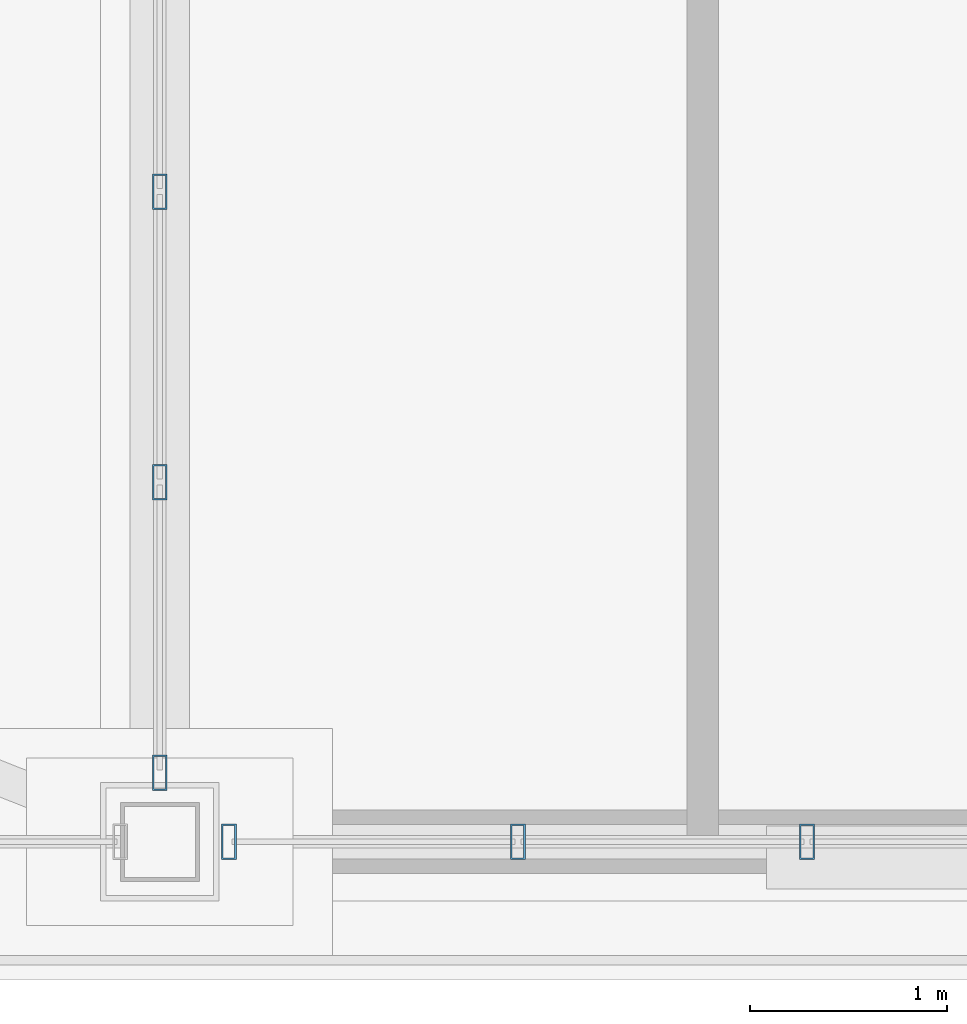
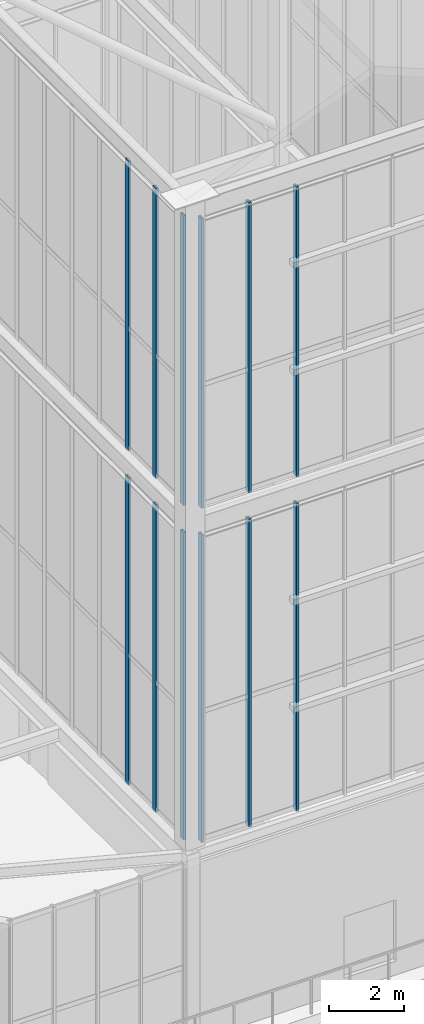
# One storey, part 3 of 135: 12 members, 4 elements without a shape of their own.
"""IFC4 building model written with IfcOpenShell, lengths in metres."""

import ifcopenshell
import ifcopenshell.guid

model = None  # the IFC model being written
_history = None  # IfcOwnerHistory: only IFC2X3 demands one
_inside = {}  # id of a spatial element -> (the spatial element, [elements in it])
_under = {}  # id of a project, library or spatial element -> (it, [spatial elements below it])
_declared = {}  # id of a project -> (the project, [libraries it declares])
_typed = {}  # id of a type object -> (the type object, [elements of that type])
_made_of = {}  # id of a material, layer set ... -> (it, [elements and type objects made of it])


def new_model(schema):
    """Start an empty IFC model of exactly this schema.

    Asked for "IFC4X3", IfcOpenShell would pick the latest addendum, in which some entities
    have other attributes; the version numbers below select the first issue.
    IFC2X3 requires an IfcOwnerHistory on every rooted entity: one is made here for all.
    """
    global model, _history
    if schema == "IFC4X3":
        model = ifcopenshell.file(schema_version=(4, 3, 0, 0))
    else:
        model = ifcopenshell.file(schema=schema)
    _inside.clear()
    _under.clear()
    _declared.clear()
    _typed.clear()
    _made_of.clear()
    _history = None
    if model.schema == "IFC2X3":
        org = make("IfcOrganization", Name="unknown")
        user = make(
            "IfcPersonAndOrganization",
            ThePerson=make("IfcPerson", FamilyName="unknown"),
            TheOrganization=org,
        )
        app = make(
            "IfcApplication",
            ApplicationDeveloper=org,
            Version="unknown",
            ApplicationFullName="unknown",
            ApplicationIdentifier="unknown",
        )
        _history = make(
            "IfcOwnerHistory",
            OwningUser=user,
            OwningApplication=app,
            ChangeAction="ADDED",
            CreationDate=0,
        )
    return model


def make(cls, **values):
    """One entity of the class cls with the attributes given. An attribute that is None is left unset."""
    return model.create_entity(
        cls, **{name: value for name, value in values.items() if value is not None}
    )


def rooted(cls, **values):
    """An entity with a GlobalId (a new one), such as an element, a storey or a relation."""
    return make(cls, GlobalId=ifcopenshell.guid.new(), OwnerHistory=_history, **values)


def si_unit(unit_type, name, prefix=None):
    """IfcSIUnit, for example si_unit("LENGTHUNIT", "METRE", prefix="MILLI")."""
    return make("IfcSIUnit", UnitType=unit_type, Prefix=prefix, Name=name)


def assignment(units):
    """IfcUnitAssignment: the units of a project."""
    return None if units is None else make("IfcUnitAssignment", Units=units)


def point(xyz):
    """IfcCartesianPoint."""
    return None if xyz is None else make("IfcCartesianPoint", Coordinates=xyz)


def direction(xyz):
    """IfcDirection."""
    return None if xyz is None else make("IfcDirection", DirectionRatios=xyz)


def frame(location, z_axis=None, x_axis=None):
    """IfcAxis2Placement3D, a coordinate frame: its origin and axes. An axis left out is left unset."""
    return make(
        "IfcAxis2Placement3D",
        Location=point(location),
        Axis=direction(z_axis),
        RefDirection=direction(x_axis),
    )


def frame_2d(location, x_axis=None):
    """IfcAxis2Placement2D, a coordinate frame in the plane: its origin and x axis."""
    return make(
        "IfcAxis2Placement2D", Location=point(location), RefDirection=direction(x_axis)
    )


def origin():
    """The frame at (0, 0, 0) with its axes left unset."""
    return frame((0.0, 0.0, 0.0))


def origin_2d():
    """The frame at (0, 0) in the plane with its x axis left unset."""
    return frame_2d((0.0, 0.0))


def place(relative_to, where):
    """IfcLocalPlacement: puts the frame where relative to a parent placement (None: the world)."""
    return make(
        "IfcLocalPlacement", PlacementRelTo=relative_to, RelativePlacement=where
    )


def context(
    kind, dimensions, precision=None, world=None, true_north=None, identifier=None
):
    """IfcGeometricRepresentationContext, for example the 3D "Model" context."""
    return make(
        "IfcGeometricRepresentationContext",
        ContextIdentifier=identifier,
        ContextType=kind,
        CoordinateSpaceDimension=dimensions,
        Precision=precision,
        WorldCoordinateSystem=world,
        TrueNorth=true_north,
    )


def subcontext(parent, identifier, kind, view, scale=None):
    """IfcGeometricRepresentationSubContext, for example "Body" below "Model"."""
    return make(
        "IfcGeometricRepresentationSubContext",
        ContextIdentifier=identifier,
        ContextType=kind,
        ParentContext=parent,
        TargetScale=scale,
        TargetView=view,
    )


def project(units=None, contexts=None):
    """IfcProject with its units and contexts."""
    return rooted(
        "IfcProject",
        Name="project",
        RepresentationContexts=contexts,
        UnitsInContext=assignment(units),
    )


def spatial(cls, under=None, at=None, **own):
    """A site, building, storey or space (cls), placed at a placement, below another one or the project."""
    s = rooted(cls, ObjectPlacement=at, **own)
    if under is not None:
        _under.setdefault(under.id(), (under, []))[1].append(s)
    return s


def profile(cls, at=None, kind="AREA", **sizes):
    """A parametric profile (cls). Its sizes go by their IFC names, for example OverallWidth=200.0."""
    return make(cls, ProfileType=kind, Position=at, **sizes)


def hollow_rectangle(**sizes):
    """IfcRectangleHollowProfileDef."""
    return profile("IfcRectangleHollowProfileDef", **sizes)


def extrude(swept, where, along, depth):
    """IfcExtrudedAreaSolid: the profile swept, set in the frame where, extruded along a direction by depth."""
    return make(
        "IfcExtrudedAreaSolid",
        SweptArea=swept,
        Position=where,
        ExtrudedDirection=direction(along),
        Depth=depth,
    )


def shape(context_of_items, identifier, shape_type, items):
    """IfcShapeRepresentation: the items that make up one representation, for example the "Body"."""
    return make(
        "IfcShapeRepresentation",
        ContextOfItems=context_of_items,
        RepresentationIdentifier=identifier,
        RepresentationType=shape_type,
        Items=items,
    )


def source(mapping_origin, context_of_items, identifier, shape_type, items):
    """IfcRepresentationMap: a shape defined once, which mapped items show again and again."""
    return make(
        "IfcRepresentationMap",
        MappingOrigin=mapping_origin,
        MappedRepresentation=shape(context_of_items, identifier, shape_type, items),
    )


def transform(
    local_origin,
    x_axis=None,
    y_axis=None,
    z_axis=None,
    scale=None,
    scale2=None,
    scale3=None,
    uniform=True,
):
    """IfcCartesianTransformationOperator3D, or its non-uniform kind. x_axis, y_axis, z_axis: its Axis1, 2, 3."""
    if uniform:
        return make(
            "IfcCartesianTransformationOperator3D",
            Axis1=direction(x_axis),
            Axis2=direction(y_axis),
            LocalOrigin=point(local_origin),
            Scale=scale,
            Axis3=direction(z_axis),
        )
    return make(
        "IfcCartesianTransformationOperator3DnonUniform",
        Axis1=direction(x_axis),
        Axis2=direction(y_axis),
        LocalOrigin=point(local_origin),
        Scale=scale,
        Axis3=direction(z_axis),
        Scale2=scale2,
        Scale3=scale3,
    )


def mapped(mapping_source, mapping_target):
    """IfcMappedItem: shows the shape of a source again, moved by a transform."""
    return make(
        "IfcMappedItem", MappingSource=mapping_source, MappingTarget=mapping_target
    )


def material(Name=None, Category=None):
    """IfcMaterial."""
    return make("IfcMaterial", Name=Name, Category=Category)


def layer(
    of_material, thickness, ventilated=None, Name=None, Category=None, Priority=None
):
    """IfcMaterialLayer: one layer of a wall or slab, of a material (None: an air gap)."""
    return make(
        "IfcMaterialLayer",
        Material=of_material,
        LayerThickness=thickness,
        IsVentilated=ventilated,
        Name=Name,
        Category=Category,
        Priority=Priority,
    )


def layer_set(layers, Name=None):
    """IfcMaterialLayerSet."""
    return make("IfcMaterialLayerSet", MaterialLayers=layers, LayerSetName=Name)


def material_profile(
    of_material, cross_section, Name=None, Category=None, Priority=None
):
    """IfcMaterialProfile: a cross section and its material."""
    return make(
        "IfcMaterialProfile",
        Name=Name,
        Material=of_material,
        Profile=cross_section,
        Priority=Priority,
        Category=Category,
    )


def profile_set(profiles, Name=None, composite=None):
    """IfcMaterialProfileSet."""
    return make(
        "IfcMaterialProfileSet",
        Name=Name,
        MaterialProfiles=profiles,
        CompositeProfile=composite,
    )


def made_of(thing, what):
    """Note that an element or type object is made of a material, layer set ...; save() writes the relation."""
    if what is not None:
        _made_of.setdefault(what.id(), (what, []))[1].append(thing)
    return thing


def type_object(cls, material=None, **own):
    """A type object (cls), such as IfcWallType, which elements share."""
    return made_of(rooted(cls, **own), material)


def element(
    cls,
    number,
    at=None,
    inside=None,
    cuts=None,
    type_object=None,
    material=None,
    context=None,
    identifier="Body",
    shape_type=None,
    held_by="IfcProductDefinitionShape",
    body=None,
    shapes=None,
    **own,
):
    """One element of the class cls, such as IfcWall. Its Tag is "e" and its number.

    at: its placement. inside: the storey or other place that contains it. cuts: it is an
    opening in that element (IfcRelVoidsElement). A single representation is given by context,
    identifier, shape_type and body (its items); several are given by shapes. held_by: the class
    of the entity that holds the representations. save() writes the other relations.
    """
    e = rooted(cls, Tag="e%d" % number, ObjectPlacement=at, **own)
    if body is not None:
        shapes = [shape(context, identifier, shape_type, body)]
    if shapes is not None:
        e.Representation = make(held_by, Representations=shapes)
    if inside is not None:
        _inside.setdefault(inside.id(), (inside, []))[1].append(e)
    if cuts is not None:
        rooted(
            "IfcRelVoidsElement", RelatingBuildingElement=cuts, RelatedOpeningElement=e
        )
    if type_object is not None:
        _typed.setdefault(type_object.id(), (type_object, []))[1].append(e)
    return made_of(e, material)


def aggregate(whole, parts):
    """IfcRelAggregates: a whole, such as a stair, and the parts it consists of."""
    return rooted("IfcRelAggregates", RelatingObject=whole, RelatedObjects=parts)


def save(model, path):
    """Write the relations noted so far, then the file.

    IfcRelAggregates (storeys below a building ...), IfcRelContainedInSpatialStructure (elements
    in a storey), IfcRelDefinesByType, IfcRelAssociatesMaterial and IfcRelDeclares: one each for
    every whole, place, type object, material and project.
    """
    for whole, parts in _under.values():
        aggregate(whole, parts)
    for where, things in _inside.values():
        rooted(
            "IfcRelContainedInSpatialStructure",
            RelatedElements=things,
            RelatingStructure=where,
        )
    for kind, things in _typed.values():
        rooted("IfcRelDefinesByType", RelatedObjects=things, RelatingType=kind)
    for what, things in _made_of.values():
        rooted("IfcRelAssociatesMaterial", RelatedObjects=things, RelatingMaterial=what)
    for by, libraries in _declared.values():
        rooted("IfcRelDeclares", RelatingContext=by, RelatedDefinitions=libraries)
    model.write(path)


model = new_model("IFC4")

# Units and contexts
model_context = context("Model", 3, precision=1e-05, world=origin(), true_north=direction((0.0, 1.0)))
body_context = subcontext(model_context, "Body", "Model", "MODEL_VIEW")
ifc_project = project(units=[si_unit("LENGTHUNIT", "METRE"), si_unit("AREAUNIT", "SQUARE_METRE"), si_unit("VOLUMEUNIT", "CUBIC_METRE"), si_unit("PLANEANGLEUNIT", "RADIAN"), si_unit("MASSUNIT", "GRAM", prefix="KILO")], contexts=[model_context])

# Site, building, storey
site_placement = place(None, origin())
site = spatial("IfcSite", under=ifc_project, at=site_placement, CompositionType="ELEMENT")
building_placement = place(site_placement, origin())
building = spatial("IfcBuilding", under=site, at=building_placement, Name="Giltprow Tower", CompositionType="ELEMENT")
storey_placement = place(building_placement, frame((0.0, 0.0, 352.699951171875)))
storey = spatial("IfcBuildingStorey", under=building, at=storey_placement, Name="L92", CompositionType="ELEMENT", Elevation=352.699951171875)

# Curtain wall, members
ifc_material = material(Name="Anodized bronze", Category="metal")
ifc_layer = layer(ifc_material, 0.179931640625, Name="Anodized bronze")
ifc_layer_set = layer_set([ifc_layer], Name="Anodized bronze")
curtain_wall_type = type_object("IfcCurtainWallType", Name="CW-CROWN-LANTERN", PredefinedType="NOTDEFINED", material=ifc_layer_set)
curtain_wall_1_placement = place(storey_placement, origin())
curtain_wall_1 = element("IfcCurtainWall", 1, at=curtain_wall_1_placement, inside=storey, type_object=curtain_wall_type, Name="Crown West Lower Lantern Glazing 1", PredefinedType="NOTDEFINED")
ifc_material_profile = material_profile(ifc_material, hollow_rectangle(XDim=0.074951171875, YDim=0.179931640625, WallThickness=0.008056640625, at=origin_2d()), Name="RHS 180x75x8")
ifc_profile_set = profile_set([ifc_material_profile], Name="Anodized bronze")
member_type = type_object("IfcMemberType", Name="CW-MULLION-180x75", PredefinedType="MULLION", material=ifc_profile_set)
shared_shape_1 = source(origin(), body_context, "Body", "SweptSolid", [
    extrude(hollow_rectangle(XDim=0.074951171875, YDim=0.179931640625, WallThickness=0.008056640625, at=origin_2d()), origin(), (0.0, 0.0, 1.0), 10.030029296875),
])
member_1_placement = place(storey_placement, frame((20.199951171875, 23.5, 6.35009765625), z_axis=(0.0, 0.0, 1.0), x_axis=(1.0, 0.0, 0.0)))
member_1 = element("IfcMember", 2, at=member_1_placement, type_object=member_type, Name="Crown West Lower Lantern Glazing 1 Mullion 1", PredefinedType="MULLION", context=body_context, shape_type="MappedRepresentation", body=[
    mapped(shared_shape_1, transform((0.0, 0.0, 0.0), x_axis=(1.0, 0.0, 0.0), y_axis=(0.0, 1.0, 0.0), z_axis=(0.0, 0.0, 1.0), scale=1.0)),
])
member_2_placement = place(storey_placement, frame((21.6640625, 23.5, 6.35009765625), z_axis=(0.0, 0.0, 1.0), x_axis=(1.0, 0.0, 0.0)))
member_2 = element("IfcMember", 3, at=member_2_placement, type_object=member_type, Name="Crown West Lower Lantern Glazing 1 Mullion 2", PredefinedType="MULLION", context=body_context, shape_type="MappedRepresentation", body=[
    mapped(shared_shape_1, transform((0.0, 0.0, 0.0), x_axis=(1.0, 0.0, 0.0), y_axis=(0.0, 1.0, 0.0), z_axis=(0.0, 0.0, 1.0), scale=1.0)),
])
member_3_placement = place(storey_placement, frame((23.12890625, 23.5, 6.35009765625), z_axis=(0.0, 0.0, 1.0), x_axis=(1.0, 0.0, 0.0)))
member_3 = element("IfcMember", 4, at=member_3_placement, type_object=member_type, Name="Crown West Lower Lantern Glazing 1 Mullion 3", PredefinedType="MULLION", context=body_context, shape_type="MappedRepresentation", body=[
    mapped(shared_shape_1, transform((0.0, 0.0, 0.0), x_axis=(1.0, 0.0, 0.0), y_axis=(0.0, 1.0, 0.0), z_axis=(0.0, 0.0, 1.0), scale=1.0)),
])
aggregate(curtain_wall_1, [member_1, member_2, member_3])

curtain_wall_2_placement = place(storey_placement, origin())
curtain_wall_2 = element("IfcCurtainWall", 5, at=curtain_wall_2_placement, inside=storey, type_object=curtain_wall_type, Name="Crown West Lower Lantern Glazing 6", PredefinedType="NOTDEFINED")
member_4_placement = place(storey_placement, frame((19.85009765625, 26.7939453125, 6.35009765625), z_axis=(0.0, 0.0, 1.0), x_axis=(1.0, 0.0, 0.0)))
member_4 = element("IfcMember", 6, at=member_4_placement, type_object=member_type, Name="Crown West Lower Lantern Glazing 6 Mullion 8", PredefinedType="MULLION", context=body_context, shape_type="MappedRepresentation", body=[
    mapped(shared_shape_1, transform((0.0, 0.0, 0.0), x_axis=(1.0, 0.0, 0.0), y_axis=(0.0, 1.0, 0.0), z_axis=(0.0, 0.0, 1.0), scale=1.0)),
])
member_5_placement = place(storey_placement, frame((19.85009765625, 25.322021484375, 6.35009765625), z_axis=(0.0, 0.0, 1.0), x_axis=(1.0, 0.0, 0.0)))
member_5 = element("IfcMember", 7, at=member_5_placement, type_object=member_type, Name="Crown West Lower Lantern Glazing 6 Mullion 9", PredefinedType="MULLION", context=body_context, shape_type="MappedRepresentation", body=[
    mapped(shared_shape_1, transform((0.0, 0.0, 0.0), x_axis=(1.0, 0.0, 0.0), y_axis=(0.0, 1.0, 0.0), z_axis=(0.0, 0.0, 1.0), scale=1.0)),
])
member_6_placement = place(storey_placement, frame((19.85009765625, 23.85009765625, 6.35009765625), z_axis=(0.0, 0.0, 1.0), x_axis=(1.0, 0.0, 0.0)))
member_6 = element("IfcMember", 8, at=member_6_placement, type_object=member_type, Name="Crown West Lower Lantern Glazing 6 Mullion 10", PredefinedType="MULLION", context=body_context, shape_type="MappedRepresentation", body=[
    mapped(shared_shape_1, transform((0.0, 0.0, 0.0), x_axis=(1.0, 0.0, 0.0), y_axis=(0.0, 1.0, 0.0), z_axis=(0.0, 0.0, 1.0), scale=1.0)),
])
aggregate(curtain_wall_2, [member_4, member_5, member_6])

curtain_wall_3_placement = place(storey_placement, origin())
curtain_wall_3 = element("IfcCurtainWall", 9, at=curtain_wall_3_placement, inside=storey, type_object=curtain_wall_type, Name="Crown West Upper Lantern Glazing 1", PredefinedType="NOTDEFINED")
shared_shape_2 = source(origin(), body_context, "Body", "SweptSolid", [
    extrude(hollow_rectangle(XDim=0.074951171875, YDim=0.179931640625, WallThickness=0.008056640625, at=origin_2d()), origin(), (0.0, 0.0, 1.0), 9.45703125),
])
member_7_placement = place(storey_placement, frame((20.199951171875, 23.5, 17.25), z_axis=(0.0, 0.0, 1.0), x_axis=(1.0, 0.0, 0.0)))
member_7 = element("IfcMember", 10, at=member_7_placement, type_object=member_type, Name="Crown West Upper Lantern Glazing 1 Mullion 1", PredefinedType="MULLION", context=body_context, shape_type="MappedRepresentation", body=[
    mapped(shared_shape_2, transform((0.0, 0.0, 0.0), x_axis=(1.0, 0.0, 0.0), y_axis=(0.0, 1.0, 0.0), z_axis=(0.0, 0.0, 1.0), scale=1.0)),
])
member_8_placement = place(storey_placement, frame((21.6640625, 23.5, 17.25), z_axis=(0.0, 0.0, 1.0), x_axis=(1.0, 0.0, 0.0)))
member_8 = element("IfcMember", 11, at=member_8_placement, type_object=member_type, Name="Crown West Upper Lantern Glazing 1 Mullion 2", PredefinedType="MULLION", context=body_context, shape_type="MappedRepresentation", body=[
    mapped(shared_shape_2, transform((0.0, 0.0, 0.0), x_axis=(1.0, 0.0, 0.0), y_axis=(0.0, 1.0, 0.0), z_axis=(0.0, 0.0, 1.0), scale=1.0)),
])
member_9_placement = place(storey_placement, frame((23.12890625, 23.5, 17.25), z_axis=(0.0, 0.0, 1.0), x_axis=(1.0, 0.0, 0.0)))
member_9 = element("IfcMember", 12, at=member_9_placement, type_object=member_type, Name="Crown West Upper Lantern Glazing 1 Mullion 3", PredefinedType="MULLION", context=body_context, shape_type="MappedRepresentation", body=[
    mapped(shared_shape_2, transform((0.0, 0.0, 0.0), x_axis=(1.0, 0.0, 0.0), y_axis=(0.0, 1.0, 0.0), z_axis=(0.0, 0.0, 1.0), scale=1.0)),
])
aggregate(curtain_wall_3, [member_7, member_8, member_9])

curtain_wall_4_placement = place(storey_placement, origin())
curtain_wall_4 = element("IfcCurtainWall", 13, at=curtain_wall_4_placement, inside=storey, type_object=curtain_wall_type, Name="Crown West Upper Lantern Glazing 6", PredefinedType="NOTDEFINED")
member_10_placement = place(storey_placement, frame((19.85009765625, 26.7939453125, 17.25), z_axis=(0.0, 0.0, 1.0), x_axis=(1.0, 0.0, 0.0)))
member_10 = element("IfcMember", 14, at=member_10_placement, type_object=member_type, Name="Crown West Upper Lantern Glazing 6 Mullion 8", PredefinedType="MULLION", context=body_context, shape_type="MappedRepresentation", body=[
    mapped(shared_shape_2, transform((0.0, 0.0, 0.0), x_axis=(1.0, 0.0, 0.0), y_axis=(0.0, 1.0, 0.0), z_axis=(0.0, 0.0, 1.0), scale=1.0)),
])
member_11_placement = place(storey_placement, frame((19.85009765625, 25.322021484375, 17.25), z_axis=(0.0, 0.0, 1.0), x_axis=(1.0, 0.0, 0.0)))
member_11 = element("IfcMember", 15, at=member_11_placement, type_object=member_type, Name="Crown West Upper Lantern Glazing 6 Mullion 9", PredefinedType="MULLION", context=body_context, shape_type="MappedRepresentation", body=[
    mapped(shared_shape_2, transform((0.0, 0.0, 0.0), x_axis=(1.0, 0.0, 0.0), y_axis=(0.0, 1.0, 0.0), z_axis=(0.0, 0.0, 1.0), scale=1.0)),
])
member_12_placement = place(storey_placement, frame((19.85009765625, 23.85009765625, 17.25), z_axis=(0.0, 0.0, 1.0), x_axis=(1.0, 0.0, 0.0)))
member_12 = element("IfcMember", 16, at=member_12_placement, type_object=member_type, Name="Crown West Upper Lantern Glazing 6 Mullion 10", PredefinedType="MULLION", context=body_context, shape_type="MappedRepresentation", body=[
    mapped(shared_shape_2, transform((0.0, 0.0, 0.0), x_axis=(1.0, 0.0, 0.0), y_axis=(0.0, 1.0, 0.0), z_axis=(0.0, 0.0, 1.0), scale=1.0)),
])
aggregate(curtain_wall_4, [member_10, member_11, member_12])

save(model, "model.ifc")
